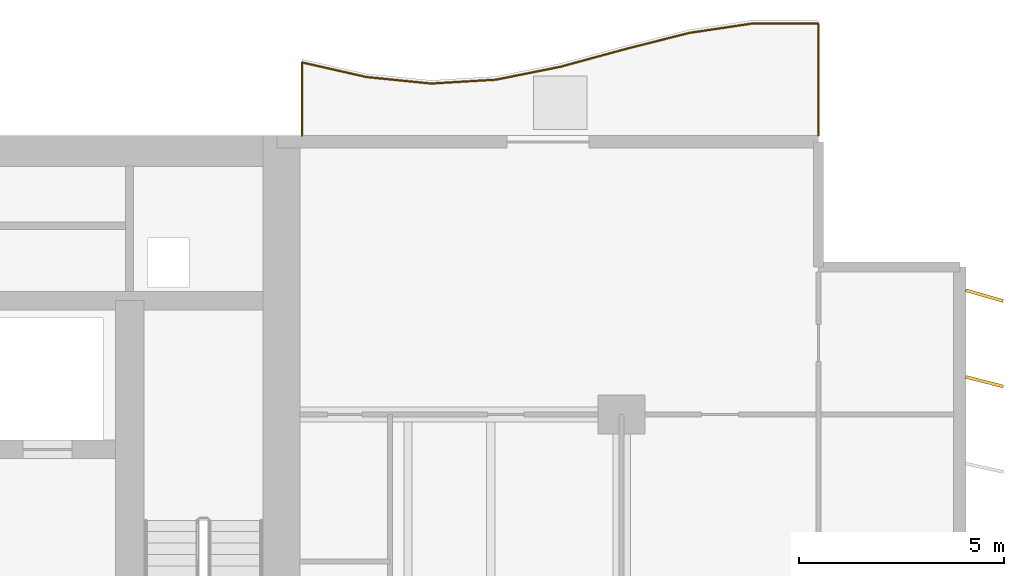
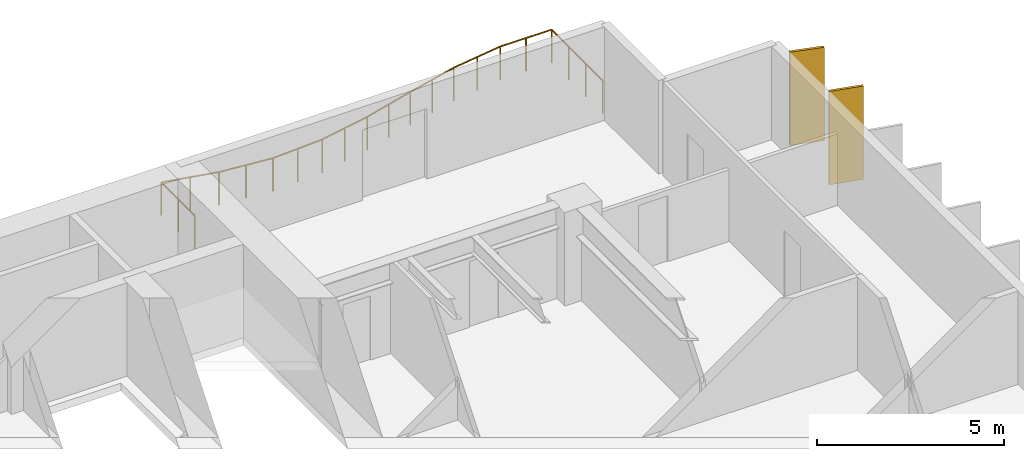
# One storey, part 16 of 16: 2 shading devices, 1 railing.
"""IFC4 building model written with IfcOpenShell, lengths in metres."""

from ifc_helpers import new_model, si_unit, direction, frame, origin, origin_2d, place, context, subcontext, project, spatial, rectangle, circle, extrude, material, material_profile, profile_set, type_object, element, save


model = new_model("IFC4")

# Units and contexts
model_context = context("Model", 3, precision=1e-05, world=origin(), true_north=direction((0.0, 1.0)))
body_context = subcontext(model_context, "Body", "Model", "MODEL_VIEW")
ifc_project = project(units=[si_unit("LENGTHUNIT", "METRE"), si_unit("AREAUNIT", "SQUARE_METRE"), si_unit("VOLUMEUNIT", "CUBIC_METRE"), si_unit("PLANEANGLEUNIT", "RADIAN"), si_unit("MASSUNIT", "GRAM", prefix="KILO")], contexts=[model_context])

# Site, building, storey
site_placement = place(None, origin())
site = spatial("IfcSite", under=ifc_project, at=site_placement, CompositionType="ELEMENT")
building_placement = place(site_placement, origin())
building = spatial("IfcBuilding", under=site, at=building_placement, Name="Caelmar Bay Residences", CompositionType="ELEMENT")
storey_placement = place(building_placement, frame((0.0, 0.0, 72.89990234375)))
storey = spatial("IfcBuildingStorey", under=building, at=storey_placement, Name="L19", CompositionType="ELEMENT", Elevation=72.89990234375)

# Railing
ifc_material_1 = material(Name="Anodised bronze handrail with laminated hurricane glass infill", Category="glass")
railing_type = type_object("IfcRailingType", Name="RL-BAL-1100", PredefinedType="BALUSTRADE", material=ifc_material_1)
railing_placement = place(storey_placement, frame((72.699951171875, 50.60009765625, 0.0)))
element("IfcRailing", 1, at=railing_placement, inside=storey, type_object=railing_type, Name="L19 north_east Balcony Balustrade", PredefinedType="BALUSTRADE", context=body_context, shape_type="SweptSolid", body=[
    extrude(circle(Radius=0.02392578125, at=origin_2d()), frame((0.0, 0.0, 1.076171875), z_axis=(0.0, 1.0, 0.0), x_axis=(-1.0, 0.0, 0.0)), (0.0, 0.0, 1.0), 2.733154296875),
    extrude(circle(Radius=0.02392578125, at=origin_2d()), frame((0.0, 2.733154296875, 1.076171875), z_axis=(-0.999985282216, 0.005425435572, 0.0), x_axis=(-0.005425435572, -0.999985282216, 0.0)), (0.0, 0.0, 1.0), 1.574951171875),
    extrude(circle(Radius=0.02392578125, at=origin_2d()), frame((-1.574951171875, 2.74169921875, 1.076171875), z_axis=(-0.989085424224, -0.147343216971, 0.0), x_axis=(0.147343216971, -0.989085424224, 0.0)), (0.0, 0.0, 1.0), 1.59228515625),
    extrude(circle(Radius=0.02392578125, at=origin_2d()), frame((-3.14990234375, 2.507080078125, 1.076171875), z_axis=(-0.969386499063, -0.245539844903, 0.0), x_axis=(0.245539844903, -0.969386499063, 0.0)), (0.0, 0.0, 1.0), 1.624755859375),
    extrude(circle(Radius=0.02392578125, at=origin_2d()), frame((-4.724853515625, 2.108154296875, 1.076171875), z_axis=(-0.964901735342, -0.262611197654, 0.0), x_axis=(0.262611197654, -0.964901735342, 0.0)), (0.0, 0.0, 1.0), 1.632568359375),
    extrude(circle(Radius=0.02392578125, at=origin_2d()), frame((-6.300048828125, 1.679443359375, 1.076171875), z_axis=(-0.980703271668, -0.195502155846, 0.0), x_axis=(0.195502155846, -0.980703271668, 0.0)), (0.0, 0.0, 1.0), 1.60595703125),
    extrude(circle(Radius=0.02392578125, at=origin_2d()), frame((-7.875, 1.365478515625, 1.076171875), z_axis=(-0.99825135222, -0.059112078212, 0.0), x_axis=(0.059112078212, -0.99825135222, 0.0)), (0.0, 0.0, 1.0), 1.57763671875),
    extrude(circle(Radius=0.02392578125, at=origin_2d()), frame((-9.449951171875, 1.272216796875, 1.076171875), z_axis=(-0.994962082578, 0.100251953755, 0.0), x_axis=(-0.100251953755, -0.994962082578, 0.0)), (0.0, 0.0, 1.0), 1.5830078125),
    extrude(circle(Radius=0.02392578125, at=origin_2d()), frame((-11.02490234375, 1.430908203125, 1.076171875), z_axis=(-0.975235218477, 0.221170225489, 0.0), x_axis=(-0.221170225489, -0.975235218477, 0.0)), (0.0, 0.0, 1.0), 1.614990234375),
    extrude(circle(Radius=0.02392578125, at=origin_2d()), frame((-12.599853515625, 1.7880859375, 1.076171875), z_axis=(0.0, -1.0, 0.0), x_axis=(1.0, 0.0, 0.0)), (0.0, 0.0, 1.0), 1.7880859375),
    extrude(circle(Radius=0.02099609375, at=origin_2d()), origin(), (0.0, 0.0, 1.0), 1.052001953125),
    extrude(circle(Radius=0.02099609375, at=origin_2d()), frame((0.0, 0.9111328125, 0.0)), (0.0, 0.0, 1.0), 1.052001953125),
    extrude(circle(Radius=0.02099609375, at=origin_2d()), frame((0.0, 1.822021484375, 0.0)), (0.0, 0.0, 1.0), 1.052001953125),
    extrude(circle(Radius=0.02099609375, at=origin_2d()), frame((0.0, 2.733154296875, 0.0)), (0.0, 0.0, 1.0), 1.052001953125),
    extrude(circle(Radius=0.02099609375, at=origin_2d()), frame((-0.78759765625, 2.7373046875, 0.0)), (0.0, 0.0, 1.0), 1.052001953125),
    extrude(circle(Radius=0.02099609375, at=origin_2d()), frame((-1.574951171875, 2.74169921875, 0.0)), (0.0, 0.0, 1.0), 1.052001953125),
    extrude(circle(Radius=0.02099609375, at=origin_2d()), frame((-2.3623046875, 2.62451171875, 0.0)), (0.0, 0.0, 1.0), 1.052001953125),
    extrude(circle(Radius=0.02099609375, at=origin_2d()), frame((-3.14990234375, 2.507080078125, 0.0)), (0.0, 0.0, 1.0), 1.052001953125),
    extrude(circle(Radius=0.02099609375, at=origin_2d()), frame((-3.9375, 2.3076171875, 0.0)), (0.0, 0.0, 1.0), 1.052001953125),
    extrude(circle(Radius=0.02099609375, at=origin_2d()), frame((-4.724853515625, 2.108154296875, 0.0)), (0.0, 0.0, 1.0), 1.052001953125),
    extrude(circle(Radius=0.02099609375, at=origin_2d()), frame((-5.512451171875, 1.893798828125, 0.0)), (0.0, 0.0, 1.0), 1.052001953125),
    extrude(circle(Radius=0.02099609375, at=origin_2d()), frame((-6.300048828125, 1.679443359375, 0.0)), (0.0, 0.0, 1.0), 1.052001953125),
    extrude(circle(Radius=0.02099609375, at=origin_2d()), frame((-7.08740234375, 1.5224609375, 0.0)), (0.0, 0.0, 1.0), 1.052001953125),
    extrude(circle(Radius=0.02099609375, at=origin_2d()), frame((-7.875, 1.365478515625, 0.0)), (0.0, 0.0, 1.0), 1.052001953125),
    extrude(circle(Radius=0.02099609375, at=origin_2d()), frame((-8.66259765625, 1.31884765625, 0.0)), (0.0, 0.0, 1.0), 1.052001953125),
    extrude(circle(Radius=0.02099609375, at=origin_2d()), frame((-9.449951171875, 1.272216796875, 0.0)), (0.0, 0.0, 1.0), 1.052001953125),
    extrude(circle(Radius=0.02099609375, at=origin_2d()), frame((-10.2373046875, 1.3515625, 0.0)), (0.0, 0.0, 1.0), 1.052001953125),
    extrude(circle(Radius=0.02099609375, at=origin_2d()), frame((-11.02490234375, 1.430908203125, 0.0)), (0.0, 0.0, 1.0), 1.052001953125),
    extrude(circle(Radius=0.02099609375, at=origin_2d()), frame((-11.8125, 1.609375, 0.0)), (0.0, 0.0, 1.0), 1.052001953125),
    extrude(circle(Radius=0.02099609375, at=origin_2d()), frame((-12.599853515625, 1.7880859375, 0.0)), (0.0, 0.0, 1.0), 1.052001953125),
    extrude(circle(Radius=0.02099609375, at=origin_2d()), frame((-12.599853515625, 0.89404296875, 0.0)), (0.0, 0.0, 1.0), 1.052001953125),
    extrude(circle(Radius=0.02099609375, at=origin_2d()), frame((-12.599853515625, 0.0, 0.0)), (0.0, 0.0, 1.0), 1.052001953125),
])

# Shading devices
ifc_material_2 = material(Name="Anodised architectural bronze aluminium 6063-T6", Category="aluminium")
ifc_material_profile = material_profile(ifc_material_2, rectangle(XDim=0.074951171875, YDim=0.949951171875, at=origin_2d()), Name="BRONZE-FIN-75X950")
ifc_profile_set = profile_set([ifc_material_profile], Name="Anodised architectural bronze aluminium 6063-T6")
shading_device_type = type_object("IfcShadingDeviceType", Name="SHD-FIN-950", PredefinedType="USERDEFINED", material=ifc_profile_set)
for number, where, z_axis, x_axis, name in (
    (2, (76.75, 44.60009765625, 0.0), (0.0, 0.0, 1.0), (0.247337247968, 0.968929453452, 0.0), "L19 East Bronze Solar Fin 19"),
    (3, (76.75, 46.699951171875, 0.0), (0.0, 0.0, 1.0), (0.275637355817, 0.961261695938, 0.0), "L19 East Bronze Solar Fin 20"),
):
    element("IfcShadingDevice", number, at=place(storey_placement, frame(where, z_axis=z_axis, x_axis=x_axis)), inside=storey, type_object=shading_device_type, Name=name, ObjectType="FIN", PredefinedType="USERDEFINED", context=body_context, shape_type="SweptSolid", body=[
        extrude(rectangle(XDim=0.074951171875, YDim=0.949951171875, at=origin_2d()), origin(), (0.0, 0.0, 1.0), 3.050048828125),
    ])

save(model, "model.ifc")
